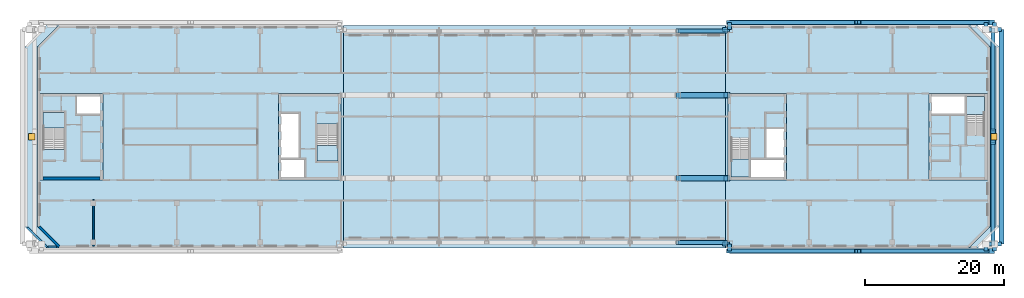
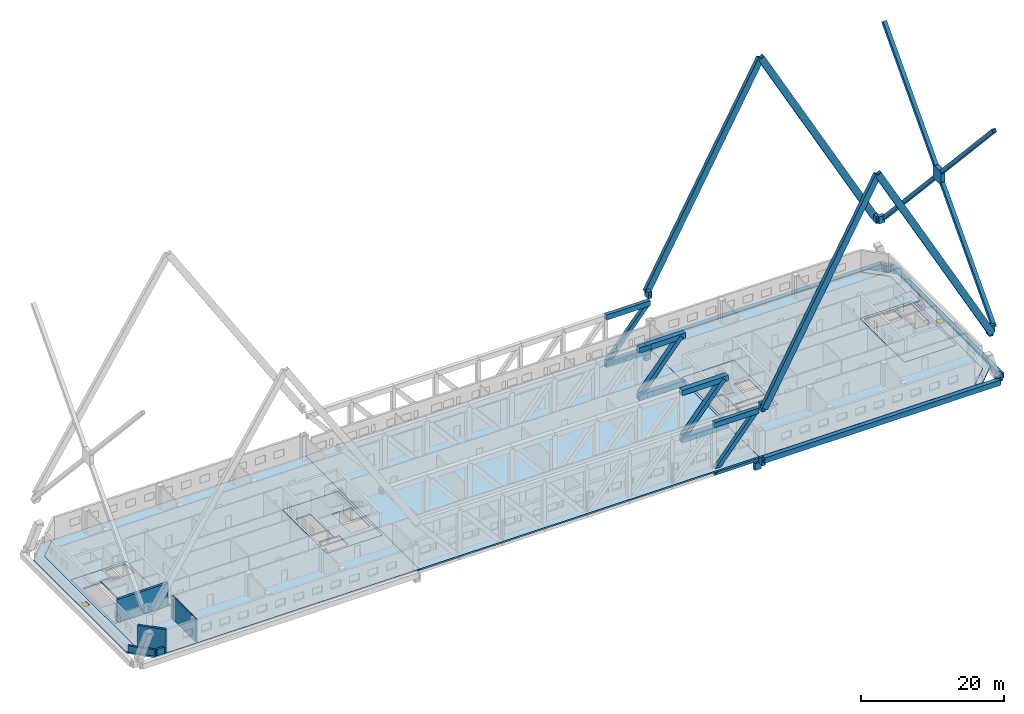
# One storey, part 3 of 17: 25 beams, 13 members, 13 slabs, 5 walls, 2 windows, 2 openings, 4 elements without a shape of their own.
"""IFC4 building model written with IfcOpenShell, lengths in metres."""

import ifcopenshell
import ifcopenshell.guid

model = None  # the IFC model being written
_history = None  # IfcOwnerHistory: only IFC2X3 demands one
_inside = {}  # id of a spatial element -> (the spatial element, [elements in it])
_under = {}  # id of a project, library or spatial element -> (it, [spatial elements below it])
_declared = {}  # id of a project -> (the project, [libraries it declares])
_typed = {}  # id of a type object -> (the type object, [elements of that type])
_made_of = {}  # id of a material, layer set ... -> (it, [elements and type objects made of it])


def new_model(schema):
    """Start an empty IFC model of exactly this schema.

    Asked for "IFC4X3", IfcOpenShell would pick the latest addendum, in which some entities
    have other attributes; the version numbers below select the first issue.
    IFC2X3 requires an IfcOwnerHistory on every rooted entity: one is made here for all.
    """
    global model, _history
    if schema == "IFC4X3":
        model = ifcopenshell.file(schema_version=(4, 3, 0, 0))
    else:
        model = ifcopenshell.file(schema=schema)
    _inside.clear()
    _under.clear()
    _declared.clear()
    _typed.clear()
    _made_of.clear()
    _history = None
    if model.schema == "IFC2X3":
        org = make("IfcOrganization", Name="unknown")
        user = make(
            "IfcPersonAndOrganization",
            ThePerson=make("IfcPerson", FamilyName="unknown"),
            TheOrganization=org,
        )
        app = make(
            "IfcApplication",
            ApplicationDeveloper=org,
            Version="unknown",
            ApplicationFullName="unknown",
            ApplicationIdentifier="unknown",
        )
        _history = make(
            "IfcOwnerHistory",
            OwningUser=user,
            OwningApplication=app,
            ChangeAction="ADDED",
            CreationDate=0,
        )
    return model


def make(cls, **values):
    """One entity of the class cls with the attributes given. An attribute that is None is left unset."""
    return model.create_entity(
        cls, **{name: value for name, value in values.items() if value is not None}
    )


def rooted(cls, **values):
    """An entity with a GlobalId (a new one), such as an element, a storey or a relation."""
    return make(cls, GlobalId=ifcopenshell.guid.new(), OwnerHistory=_history, **values)


def si_unit(unit_type, name, prefix=None):
    """IfcSIUnit, for example si_unit("LENGTHUNIT", "METRE", prefix="MILLI")."""
    return make("IfcSIUnit", UnitType=unit_type, Prefix=prefix, Name=name)


def assignment(units):
    """IfcUnitAssignment: the units of a project."""
    return None if units is None else make("IfcUnitAssignment", Units=units)


def point(xyz):
    """IfcCartesianPoint."""
    return None if xyz is None else make("IfcCartesianPoint", Coordinates=xyz)


def direction(xyz):
    """IfcDirection."""
    return None if xyz is None else make("IfcDirection", DirectionRatios=xyz)


def frame(location, z_axis=None, x_axis=None):
    """IfcAxis2Placement3D, a coordinate frame: its origin and axes. An axis left out is left unset."""
    return make(
        "IfcAxis2Placement3D",
        Location=point(location),
        Axis=direction(z_axis),
        RefDirection=direction(x_axis),
    )


def frame_2d(location, x_axis=None):
    """IfcAxis2Placement2D, a coordinate frame in the plane: its origin and x axis."""
    return make(
        "IfcAxis2Placement2D", Location=point(location), RefDirection=direction(x_axis)
    )


def origin():
    """The frame at (0, 0, 0) with its axes left unset."""
    return frame((0.0, 0.0, 0.0))


def origin_2d():
    """The frame at (0, 0) in the plane with its x axis left unset."""
    return frame_2d((0.0, 0.0))


def place(relative_to, where):
    """IfcLocalPlacement: puts the frame where relative to a parent placement (None: the world)."""
    return make(
        "IfcLocalPlacement", PlacementRelTo=relative_to, RelativePlacement=where
    )


def context(
    kind, dimensions, precision=None, world=None, true_north=None, identifier=None
):
    """IfcGeometricRepresentationContext, for example the 3D "Model" context."""
    return make(
        "IfcGeometricRepresentationContext",
        ContextIdentifier=identifier,
        ContextType=kind,
        CoordinateSpaceDimension=dimensions,
        Precision=precision,
        WorldCoordinateSystem=world,
        TrueNorth=true_north,
    )


def subcontext(parent, identifier, kind, view, scale=None):
    """IfcGeometricRepresentationSubContext, for example "Body" below "Model"."""
    return make(
        "IfcGeometricRepresentationSubContext",
        ContextIdentifier=identifier,
        ContextType=kind,
        ParentContext=parent,
        TargetScale=scale,
        TargetView=view,
    )


def project(units=None, contexts=None):
    """IfcProject with its units and contexts."""
    return rooted(
        "IfcProject",
        Name="project",
        RepresentationContexts=contexts,
        UnitsInContext=assignment(units),
    )


def spatial(cls, under=None, at=None, **own):
    """A site, building, storey or space (cls), placed at a placement, below another one or the project."""
    s = rooted(cls, ObjectPlacement=at, **own)
    if under is not None:
        _under.setdefault(under.id(), (under, []))[1].append(s)
    return s


def polyline(points):
    """IfcPolyline through the points."""
    return make("IfcPolyline", Points=[point(p) for p in points])


def profile(cls, at=None, kind="AREA", **sizes):
    """A parametric profile (cls). Its sizes go by their IFC names, for example OverallWidth=200.0."""
    return make(cls, ProfileType=kind, Position=at, **sizes)


def rectangle(**sizes):
    """IfcRectangleProfileDef."""
    return profile("IfcRectangleProfileDef", **sizes)


def hollow_rectangle(**sizes):
    """IfcRectangleHollowProfileDef."""
    return profile("IfcRectangleHollowProfileDef", **sizes)


def outline(outer, holes=None, kind="AREA"):
    """IfcArbitraryClosedProfileDef: a profile drawn as a closed curve; with holes, ...WithVoids."""
    if holes is None:
        return make("IfcArbitraryClosedProfileDef", ProfileType=kind, OuterCurve=outer)
    return make(
        "IfcArbitraryProfileDefWithVoids",
        ProfileType=kind,
        OuterCurve=outer,
        InnerCurves=holes,
    )


def extrude(swept, where, along, depth):
    """IfcExtrudedAreaSolid: the profile swept, set in the frame where, extruded along a direction by depth."""
    return make(
        "IfcExtrudedAreaSolid",
        SweptArea=swept,
        Position=where,
        ExtrudedDirection=direction(along),
        Depth=depth,
    )


def shape(context_of_items, identifier, shape_type, items):
    """IfcShapeRepresentation: the items that make up one representation, for example the "Body"."""
    return make(
        "IfcShapeRepresentation",
        ContextOfItems=context_of_items,
        RepresentationIdentifier=identifier,
        RepresentationType=shape_type,
        Items=items,
    )


def material(Name=None, Category=None):
    """IfcMaterial."""
    return make("IfcMaterial", Name=Name, Category=Category)


def layer(
    of_material, thickness, ventilated=None, Name=None, Category=None, Priority=None
):
    """IfcMaterialLayer: one layer of a wall or slab, of a material (None: an air gap)."""
    return make(
        "IfcMaterialLayer",
        Material=of_material,
        LayerThickness=thickness,
        IsVentilated=ventilated,
        Name=Name,
        Category=Category,
        Priority=Priority,
    )


def layer_set(layers, Name=None):
    """IfcMaterialLayerSet."""
    return make("IfcMaterialLayerSet", MaterialLayers=layers, LayerSetName=Name)


def material_profile(
    of_material, cross_section, Name=None, Category=None, Priority=None
):
    """IfcMaterialProfile: a cross section and its material."""
    return make(
        "IfcMaterialProfile",
        Name=Name,
        Material=of_material,
        Profile=cross_section,
        Priority=Priority,
        Category=Category,
    )


def profile_set(profiles, Name=None, composite=None):
    """IfcMaterialProfileSet."""
    return make(
        "IfcMaterialProfileSet",
        Name=Name,
        MaterialProfiles=profiles,
        CompositeProfile=composite,
    )


def made_of(thing, what):
    """Note that an element or type object is made of a material, layer set ...; save() writes the relation."""
    if what is not None:
        _made_of.setdefault(what.id(), (what, []))[1].append(thing)
    return thing


def type_object(cls, material=None, **own):
    """A type object (cls), such as IfcWallType, which elements share."""
    return made_of(rooted(cls, **own), material)


def element(
    cls,
    number,
    at=None,
    inside=None,
    cuts=None,
    type_object=None,
    material=None,
    context=None,
    identifier="Body",
    shape_type=None,
    held_by="IfcProductDefinitionShape",
    body=None,
    shapes=None,
    **own,
):
    """One element of the class cls, such as IfcWall. Its Tag is "e" and its number.

    at: its placement. inside: the storey or other place that contains it. cuts: it is an
    opening in that element (IfcRelVoidsElement). A single representation is given by context,
    identifier, shape_type and body (its items); several are given by shapes. held_by: the class
    of the entity that holds the representations. save() writes the other relations.
    """
    e = rooted(cls, Tag="e%d" % number, ObjectPlacement=at, **own)
    if body is not None:
        shapes = [shape(context, identifier, shape_type, body)]
    if shapes is not None:
        e.Representation = make(held_by, Representations=shapes)
    if inside is not None:
        _inside.setdefault(inside.id(), (inside, []))[1].append(e)
    if cuts is not None:
        rooted(
            "IfcRelVoidsElement", RelatingBuildingElement=cuts, RelatedOpeningElement=e
        )
    if type_object is not None:
        _typed.setdefault(type_object.id(), (type_object, []))[1].append(e)
    return made_of(e, material)


def fill(opening, filler):
    """IfcRelFillsElement: the door or window that sits in an opening."""
    return rooted(
        "IfcRelFillsElement",
        RelatingOpeningElement=opening,
        RelatedBuildingElement=filler,
    )


def aggregate(whole, parts):
    """IfcRelAggregates: a whole, such as a stair, and the parts it consists of."""
    return rooted("IfcRelAggregates", RelatingObject=whole, RelatedObjects=parts)


def save(model, path):
    """Write the relations noted so far, then the file.

    IfcRelAggregates (storeys below a building ...), IfcRelContainedInSpatialStructure (elements
    in a storey), IfcRelDefinesByType, IfcRelAssociatesMaterial and IfcRelDeclares: one each for
    every whole, place, type object, material and project.
    """
    for whole, parts in _under.values():
        aggregate(whole, parts)
    for where, things in _inside.values():
        rooted(
            "IfcRelContainedInSpatialStructure",
            RelatedElements=things,
            RelatingStructure=where,
        )
    for kind, things in _typed.values():
        rooted("IfcRelDefinesByType", RelatedObjects=things, RelatingType=kind)
    for what, things in _made_of.values():
        rooted("IfcRelAssociatesMaterial", RelatedObjects=things, RelatingMaterial=what)
    for by, libraries in _declared.values():
        rooted("IfcRelDeclares", RelatingContext=by, RelatedDefinitions=libraries)
    model.write(path)


model = new_model("IFC4")

# Units and contexts
model_context = context("Model", 3, precision=1e-05, world=origin(), true_north=direction((0.0, 1.0)))
body_context = subcontext(model_context, "Body", "Model", "MODEL_VIEW")
ifc_project = project(units=[si_unit("LENGTHUNIT", "METRE"), si_unit("AREAUNIT", "SQUARE_METRE"), si_unit("VOLUMEUNIT", "CUBIC_METRE"), si_unit("PLANEANGLEUNIT", "RADIAN"), si_unit("MASSUNIT", "GRAM", prefix="KILO")], contexts=[model_context])

# Site, building, storey
site_placement = place(None, origin())
site = spatial("IfcSite", under=ifc_project, at=site_placement, CompositionType="ELEMENT")
building_placement = place(site_placement, origin())
building = spatial("IfcBuilding", under=site, at=building_placement, Name="Tuart Gate Housing", CompositionType="ELEMENT")
storey_placement = place(building_placement, frame((0.0, 0.0, 194.39990234375)))
storey = spatial("IfcBuildingStorey", under=building, at=storey_placement, Name="L55", CompositionType="ELEMENT", Elevation=194.39990234375)

# Member
ifc_material_1 = material(Name="Steel Grade 350", Category="steel")
ifc_material_profile_1 = material_profile(ifc_material_1, rectangle(XDim=2.18408203125, YDim=2.300048828125, at=origin_2d()), Name="Brace node plate 2184 x 2300")
ifc_profile_set_1 = profile_set([ifc_material_profile_1], Name="Steel Grade 350")
member_type_1 = type_object("IfcMemberType", Name="Brace node plate 2184 x 2300", PredefinedType="PLATE", material=ifc_profile_set_1)
member_placement = place(storey_placement, frame((169.10498046875, 70.0, 25.25), z_axis=(1.0, 0.0, 0.0), x_axis=(0.0, 1.0, 0.0)))
element("IfcMember", 1, at=member_placement, inside=storey, type_object=member_type_1, Name="Brace node B zone 8 east", PredefinedType="PLATE", context=body_context, shape_type="SweptSolid", body=[
    extrude(rectangle(XDim=2.18408203125, YDim=2.300048828125, at=origin_2d()), origin(), (0.0, 0.0, 1.0), 0.68994140625),
])

# Beams
ifc_material_2 = material(Name="Steel Grade 350", Category="steel")
ifc_material_profile_2 = material_profile(ifc_material_2, hollow_rectangle(XDim=0.60009765625, YDim=1.199951171875, WallThickness=0.0400390625, at=origin_2d()), Name="BOX 1200x600x40")
ifc_profile_set_2 = profile_set([ifc_material_profile_2], Name="Steel Grade 350")
beam_type_1 = type_object("IfcBeamType", Name="Brace shoe BOX 1200x600x40", PredefinedType="BEAM", material=ifc_profile_set_2)
for number, where, z_axis, x_axis, name in (
    (2, (131.550048828125, 54.550048828125, -0.849853515625), (0.0, -1.0, 0.0), (1.0, 0.0, 0.0), "Mega tie beam B node 7 south shoe 0 L55"),
    (3, (169.699951171875, 54.550048828125, -0.39990234375), (0.0, -1.0, 0.0), (1.0, 0.0, 0.0), "Mega tie beam B node 7 south shoe 1 L55"),
    (4, (131.550048828125, 85.449951171875, -0.849853515625), (0.0, 1.0, 0.0), (-1.0, 0.0, 0.0), "Mega tie beam B node 7 north shoe 0 L55"),
    (5, (169.699951171875, 85.449951171875, -0.39990234375), (0.0, 1.0, 0.0), (-1.0, 0.0, 0.0), "Mega tie beam B node 7 north shoe 1 L55"),
    (6, (169.699951171875, 54.550048828125, -0.39990234375), (1.0, 0.0, 0.0), (0.0, 1.0, 0.0), "Mega tie beam B node 7 east shoe 0 L55"),
    (7, (169.699951171875, 85.449951171875, -0.39990234375), (1.0, 0.0, 0.0), (0.0, 1.0, 0.0), "Mega tie beam B node 7 east shoe 1 L55"),
    (8, (131.550048828125, 54.550048828125, -1.7998046875), (-1.0, 0.0, 0.0), (0.0, -1.0, 0.0), "Mega tie beam B node 7 west shoe 0 L55"),
    (9, (131.550048828125, 85.449951171875, -1.7998046875), (-1.0, 0.0, 0.0), (0.0, -1.0, 0.0), "Mega tie beam B node 7 west shoe 1 L55"),
    (10, (131.550048828125, 54.550048828125, 8.400146484375), (0.0, -1.0, 0.0), (1.0, 0.0, 0.0), "Mega brace shoe B zone 8 south chevron 1"),
    (11, (168.449951171875, 54.550048828125, 8.400146484375), (0.0, -1.0, 0.0), (1.0, 0.0, 0.0), "Mega brace shoe B zone 8 south chevron 2"),
    (12, (131.550048828125, 85.449951171875, 8.400146484375), (0.0, 1.0, 0.0), (-1.0, 0.0, 0.0), "Mega brace shoe B zone 8 north chevron 1"),
    (13, (168.449951171875, 85.449951171875, 8.400146484375), (0.0, 1.0, 0.0), (-1.0, 0.0, 0.0), "Mega brace shoe B zone 8 north chevron 2"),
    (14, (168.449951171875, 54.550048828125, 8.400146484375), (1.0, 0.0, 0.0), (0.0, 1.0, 0.0), "Mega brace shoe B zone 8 east cross 1"),
    (15, (168.449951171875, 85.449951171875, 8.400146484375), (1.0, 0.0, 0.0), (0.0, 1.0, 0.0), "Mega brace shoe B zone 8 east cross 2"),
):
    element("IfcBeam", number, at=place(storey_placement, frame(where, z_axis=z_axis, x_axis=x_axis)), inside=storey, type_object=beam_type_1, Name=name, PredefinedType="BEAM", context=body_context, shape_type="SweptSolid", body=[
        extrude(hollow_rectangle(XDim=0.60009765625, YDim=1.199951171875, WallThickness=0.0400390625, at=origin_2d()), origin(), (0.0, 0.0, 1.0), 1.0),
    ])

# Members
ifc_material_3 = material(Name="Steel Grade 350", Category="steel")
ifc_material_profile_3 = material_profile(ifc_material_3, hollow_rectangle(XDim=0.60009765625, YDim=1.050048828125, WallThickness=0.052001953125, at=origin_2d()), Name="BOX 1050x600x52")
ifc_profile_set_3 = profile_set([ifc_material_profile_3], Name="Steel Grade 350")
member_type_2 = type_object("IfcMemberType", Name="Mega brace BOX 1050x600x52", PredefinedType="BRACE", material=ifc_profile_set_3)
for number, where, z_axis, x_axis, name in (
    (16, (131.550048828125, 53.550048828125, 8.400146484375), (0.480218828035, 0.0, 0.877148720116), (0.0, 1.0, 0.0), "Mega brace B zone 8 south chevron 1"),
    (17, (168.449951171875, 53.550048828125, 8.400146484375), (-0.480218828035, 0.0, 0.877148720116), (0.0, -1.0, 0.0), "Mega brace B zone 8 south chevron 2"),
    (18, (131.550048828125, 86.449951171875, 8.400146484375), (0.480218828035, 0.0, 0.877148720116), (0.0, 1.0, 0.0), "Mega brace B zone 8 north chevron 1"),
    (19, (168.449951171875, 86.449951171875, 8.400146484375), (-0.480218828035, 0.0, 0.877148720116), (0.0, -1.0, 0.0), "Mega brace B zone 8 north chevron 2"),
):
    element("IfcMember", number, at=place(storey_placement, frame(where, z_axis=z_axis, x_axis=x_axis)), inside=storey, type_object=member_type_2, Name=name, PredefinedType="BRACE", context=body_context, shape_type="SweptSolid", body=[
        extrude(hollow_rectangle(XDim=0.60009765625, YDim=1.050048828125, WallThickness=0.052001953125, at=origin_2d()), origin(), (0.0, 0.0, 1.0), 38.419921875),
    ])
ifc_material_4 = material(Name="Steel Grade 350", Category="steel")
ifc_material_profile_4 = material_profile(ifc_material_4, hollow_rectangle(XDim=0.60009765625, YDim=0.60009765625, WallThickness=0.030029296875, at=origin_2d()), Name="BOX 600x600x30")
ifc_profile_set_4 = profile_set([ifc_material_profile_4], Name="Steel Grade 350")
member_type_3 = type_object("IfcMemberType", Name="Mega brace BOX 600x600x30", PredefinedType="BRACE", material=ifc_profile_set_4)
for number, where, z_axis, x_axis, name in (
    (20, (169.449951171875, 54.550048828125, 8.400146484375), (0.0, 0.675824021585, 0.737063017556), (-1.0, 0.0, 0.0), "Mega brace B zone 8 east cross 1 a"),
    (21, (169.449951171875, 70.64208984375, 25.9501953125), (0.0, 0.675818471271, 0.737068106682), (-1.0, 0.0, 0.0), "Mega brace B zone 8 east cross 1 b"),
    (22, (169.449951171875, 85.449951171875, 8.400146484375), (0.0, -0.675824021585, 0.737063017556), (1.0, 0.0, 0.0), "Mega brace B zone 8 east cross 2 a"),
    (23, (169.449951171875, 69.35791015625, 25.9501953125), (0.0, -0.675818471271, 0.737068106682), (1.0, 0.0, 0.0), "Mega brace B zone 8 east cross 2 b"),
):
    element("IfcMember", number, at=place(storey_placement, frame(where, z_axis=z_axis, x_axis=x_axis)), inside=storey, type_object=member_type_3, Name=name, PredefinedType="BRACE", context=body_context, shape_type="SweptSolid", body=[
        extrude(hollow_rectangle(XDim=0.60009765625, YDim=0.60009765625, WallThickness=0.030029296875, at=origin_2d()), origin(), (0.0, 0.0, 1.0), 21.910888671875),
    ])

# Beams
ifc_material_5 = material(Name="Steel Grade 350", Category="steel")
ifc_material_profile_5 = material_profile(ifc_material_5, hollow_rectangle(XDim=0.699951171875, YDim=0.89990234375, WallThickness=0.0400390625, at=origin_2d()), Name="BOX 900x700x40")
ifc_profile_set_5 = profile_set([ifc_material_profile_5], Name="Steel Grade 350")
beam_type_2 = type_object("IfcBeamType", Name="Tie beam BOX 900x700x40", PredefinedType="BEAM", material=ifc_profile_set_5)
for number, where, z_axis, x_axis, name in (
    (24, (131.550048828125, 53.550048828125, -0.39990234375), (1.0, 0.0, 0.0), (0.0, 1.0, 0.0), "Mega tie beam B node 7 south L55"),
    (25, (131.550048828125, 86.449951171875, -0.39990234375), (1.0, 0.0, 0.0), (0.0, 1.0, 0.0), "Mega tie beam B node 7 north L55"),
):
    element("IfcBeam", number, at=place(storey_placement, frame(where, z_axis=z_axis, x_axis=x_axis)), inside=storey, type_object=beam_type_2, Name=name, PredefinedType="BEAM", context=body_context, shape_type="SweptSolid", body=[
        extrude(hollow_rectangle(XDim=0.699951171875, YDim=0.89990234375, WallThickness=0.0400390625, at=origin_2d()), origin(), (0.0, 0.0, 1.0), 38.14990234375),
    ])
beam_placement = place(storey_placement, frame((170.699951171875, 54.550048828125, -0.39990234375), z_axis=(0.0, 1.0, 0.0), x_axis=(-1.0, 0.0, 0.0)))
element("IfcBeam", 26, at=beam_placement, inside=storey, type_object=beam_type_2, Name="Mega tie beam B node 7 east L55", PredefinedType="BEAM", context=body_context, shape_type="SweptSolid", body=[
    extrude(hollow_rectangle(XDim=0.699951171875, YDim=0.89990234375, WallThickness=0.0400390625, at=origin_2d()), origin(), (0.0, 0.0, 1.0), 30.89990234375),
])
ifc_material_6 = material(Name="Steel Grade 350", Category="steel")
ifc_material_profile_6 = material_profile(ifc_material_6, hollow_rectangle(XDim=0.60009765625, YDim=0.89990234375, WallThickness=0.050048828125, at=origin_2d()), Name="BOX 900x600x50")
ifc_profile_set_6 = profile_set([ifc_material_profile_6], Name="Steel Grade 350")
beam_type_3 = type_object("IfcBeamType", Name="Transfer truss chord BOX 900x600x50", PredefinedType="BEAM", material=ifc_profile_set_6)
for number, where, z_axis, x_axis, name in (
    (27, (124.125, 54.800048828125, -0.699951171875), (1.0, 0.0, 0.0), (0.0, 1.0, 0.0), "Transfer truss line 1 bottom chord 7"),
    (28, (124.125, 54.800048828125, 7.4501953125), (1.0, 0.0, 0.0), (0.0, 1.0, 0.0), "Transfer truss line 1 top chord 7"),
    (29, (124.125, 85.199951171875, -0.699951171875), (1.0, 0.0, 0.0), (0.0, 1.0, 0.0), "Transfer truss line 4 bottom chord 7"),
    (30, (124.125, 85.199951171875, 7.4501953125), (1.0, 0.0, 0.0), (0.0, 1.0, 0.0), "Transfer truss line 4 top chord 7"),
):
    element("IfcBeam", number, at=place(storey_placement, frame(where, z_axis=z_axis, x_axis=x_axis)), inside=storey, type_object=beam_type_3, Name=name, PredefinedType="BEAM", context=body_context, shape_type="SweptSolid", body=[
        extrude(hollow_rectangle(XDim=0.60009765625, YDim=0.89990234375, WallThickness=0.050048828125, at=origin_2d()), origin(), (0.0, 0.0, 1.0), 7.175048828125),
    ])
ifc_material_7 = material(Name="Steel Grade 350", Category="steel")
ifc_material_profile_7 = material_profile(ifc_material_7, hollow_rectangle(XDim=0.800048828125, YDim=0.89990234375, WallThickness=0.06494140625, at=origin_2d()), Name="BOX 900x800x65")
ifc_profile_set_7 = profile_set([ifc_material_profile_7], Name="Steel Grade 350")
beam_type_4 = type_object("IfcBeamType", Name="Transfer truss chord BOX 900x800x65", PredefinedType="BEAM", material=ifc_profile_set_7)
for number, where, z_axis, x_axis, name in (
    (31, (124.125, 64.0, -0.699951171875), (1.0, 0.0, 0.0), (0.0, 1.0, 0.0), "Transfer truss line 2 bottom chord 7"),
    (32, (124.125, 64.0, 7.4501953125), (1.0, 0.0, 0.0), (0.0, 1.0, 0.0), "Transfer truss line 2 top chord 7"),
    (33, (124.125, 76.0, -0.699951171875), (1.0, 0.0, 0.0), (0.0, 1.0, 0.0), "Transfer truss line 3 bottom chord 7"),
    (34, (124.125, 76.0, 7.4501953125), (1.0, 0.0, 0.0), (0.0, 1.0, 0.0), "Transfer truss line 3 top chord 7"),
):
    element("IfcBeam", number, at=place(storey_placement, frame(where, z_axis=z_axis, x_axis=x_axis)), inside=storey, type_object=beam_type_4, Name=name, PredefinedType="BEAM", context=body_context, shape_type="SweptSolid", body=[
        extrude(hollow_rectangle(XDim=0.800048828125, YDim=0.89990234375, WallThickness=0.06494140625, at=origin_2d()), origin(), (0.0, 0.0, 1.0), 7.47509765625),
    ])

# Members
ifc_material_8 = material(Name="Steel Grade 350", Category="steel")
ifc_material_profile_8 = material_profile(ifc_material_8, hollow_rectangle(XDim=0.60009765625, YDim=0.699951171875, WallThickness=0.0400390625, at=origin_2d()), Name="BOX 700x600x40")
ifc_profile_set_8 = profile_set([ifc_material_profile_8], Name="Steel Grade 350")
member_type_4 = type_object("IfcMemberType", Name="Transfer truss diagonal BOX 700x600x40", PredefinedType="BRACE", material=ifc_profile_set_8)
for number, where, z_axis, x_axis, name in (
    (35, (124.125, 54.800048828125, -0.699951171875), (0.644778562941, 0.0, 0.764369416429), (0.0, 1.0, 0.0), "Transfer truss line 1 diagonal 7"),
    (36, (124.125, 85.199951171875, -0.699951171875), (0.644778562941, 0.0, 0.764369416429), (0.0, 1.0, 0.0), "Transfer truss line 4 diagonal 7"),
):
    element("IfcMember", number, at=place(storey_placement, frame(where, z_axis=z_axis, x_axis=x_axis)), inside=storey, type_object=member_type_4, Name=name, PredefinedType="BRACE", context=body_context, shape_type="SweptSolid", body=[
        extrude(hollow_rectangle(XDim=0.60009765625, YDim=0.699951171875, WallThickness=0.0400390625, at=origin_2d()), origin(), (0.0, 0.0, 1.0), 10.66259765625),
    ])
ifc_material_9 = material(Name="Steel Grade 350", Category="steel")
ifc_material_profile_9 = material_profile(ifc_material_9, hollow_rectangle(XDim=0.800048828125, YDim=0.699951171875, WallThickness=0.054931640625, at=origin_2d()), Name="BOX 700x800x55")
ifc_profile_set_9 = profile_set([ifc_material_profile_9], Name="Steel Grade 350")
member_type_5 = type_object("IfcMemberType", Name="Transfer truss diagonal BOX 700x800x55", PredefinedType="BRACE", material=ifc_profile_set_9)
for number, where, z_axis, x_axis, name in (
    (37, (124.125, 64.0, -0.699951171875), (0.644778562941, 0.0, 0.764369416429), (0.0, 1.0, 0.0), "Transfer truss line 2 diagonal 7"),
    (38, (124.125, 76.0, -0.699951171875), (0.644778562941, 0.0, 0.764369416429), (0.0, 1.0, 0.0), "Transfer truss line 3 diagonal 7"),
):
    element("IfcMember", number, at=place(storey_placement, frame(where, z_axis=z_axis, x_axis=x_axis)), inside=storey, type_object=member_type_5, Name=name, PredefinedType="BRACE", context=body_context, shape_type="SweptSolid", body=[
        extrude(hollow_rectangle(XDim=0.800048828125, YDim=0.699951171875, WallThickness=0.054931640625, at=origin_2d()), origin(), (0.0, 0.0, 1.0), 10.66259765625),
    ])

# Slabs
ifc_material_10 = material(Name="Concrete C40", Category="concrete")
ifc_layer_1 = layer(ifc_material_10, 0.25)
ifc_layer_set_1 = layer_set([ifc_layer_1], Name="Core floor slab 250")
slab_type_1 = type_object("IfcSlabType", Name="Core floor slab 250", PredefinedType="FLOOR", material=ifc_layer_set_1)
slab_1_placement = place(storey_placement, frame((0.0, 0.0, -0.25)))
element("IfcSlab", 39, at=slab_1_placement, inside=storey, type_object=slab_type_1, Name="Core floor AG", PredefinedType="FLOOR", context=body_context, shape_type="SweptSolid", body=[
    extrude(outline(polyline([(66.639892578125, 63.800048828125), (75.639892578125, 63.800048828125), (75.639892578125, 76.199951171875), (66.639892578125, 76.199951171875), (66.639892578125, 63.800048828125)]), holes=[polyline([(67.0400390625, 64.199951171875), (70.385009765625, 64.199951171875), (70.385009765625, 66.72509765625), (67.0400390625, 66.72509765625), (67.0400390625, 64.199951171875)]), polyline([(67.0400390625, 66.97509765625), (69.56494140625, 66.97509765625), (69.56494140625, 73.324951171875), (67.0400390625, 73.324951171875), (67.0400390625, 66.97509765625)]), polyline([(72.1650390625, 66.47509765625), (75.239990234375, 66.47509765625), (75.239990234375, 71.804931640625), (72.1650390625, 71.804931640625), (72.1650390625, 66.47509765625)])]), origin(), (0.0, 0.0, 1.0), 0.25),
])
slab_2_placement = place(storey_placement, frame((0.0, 0.0, -0.25)))
element("IfcSlab", 40, at=slab_2_placement, inside=storey, type_object=slab_type_1, Name="Core floor AK", PredefinedType="FLOOR", context=body_context, shape_type="SweptSolid", body=[
    extrude(outline(polyline([(32.360107421875, 63.800048828125), (41.360107421875, 63.800048828125), (41.360107421875, 76.199951171875), (32.360107421875, 76.199951171875), (32.360107421875, 63.800048828125)]), holes=[polyline([(40.9599609375, 75.800048828125), (37.614990234375, 75.800048828125), (37.614990234375, 73.27490234375), (40.9599609375, 73.27490234375), (40.9599609375, 75.800048828125)]), polyline([(35.8349609375, 73.52490234375), (32.760009765625, 73.52490234375), (32.760009765625, 68.195068359375), (35.8349609375, 68.195068359375), (35.8349609375, 73.52490234375)])]), origin(), (0.0, 0.0, 1.0), 0.25),
])
slab_3_placement = place(storey_placement, frame((0.0, 0.0, -0.25)))
element("IfcSlab", 41, at=slab_3_placement, inside=storey, type_object=slab_type_1, Name="Core floor BG", PredefinedType="FLOOR", context=body_context, shape_type="SweptSolid", body=[
    extrude(outline(polyline([(131.360107421875, 63.800048828125), (139.760009765625, 63.800048828125), (139.760009765625, 76.199951171875), (131.360107421875, 76.199951171875), (131.360107421875, 63.800048828125)]), holes=[polyline([(139.360107421875, 66.85009765625), (134.5849609375, 66.85009765625), (134.5849609375, 64.199951171875), (139.360107421875, 64.199951171875), (139.360107421875, 66.85009765625)]), polyline([(139.360107421875, 71.125), (136.8349609375, 71.125), (136.8349609375, 66.97509765625), (139.360107421875, 66.97509765625), (139.360107421875, 71.125)]), polyline([(134.3349609375, 69.85498046875), (131.760009765625, 69.85498046875), (131.760009765625, 64.199951171875), (134.3349609375, 64.199951171875), (134.3349609375, 69.85498046875)])]), origin(), (0.0, 0.0, 1.0), 0.25),
])
slab_4_placement = place(storey_placement, frame((0.0, 0.0, -0.25)))
element("IfcSlab", 42, at=slab_4_placement, inside=storey, type_object=slab_type_1, Name="Core floor BK", PredefinedType="FLOOR", context=body_context, shape_type="SweptSolid", body=[
    extrude(outline(polyline([(160.239990234375, 63.800048828125), (168.639892578125, 63.800048828125), (168.639892578125, 76.199951171875), (160.239990234375, 76.199951171875), (160.239990234375, 63.800048828125)]), holes=[polyline([(160.639892578125, 73.14990234375), (165.4150390625, 73.14990234375), (165.4150390625, 75.800048828125), (160.639892578125, 75.800048828125), (160.639892578125, 73.14990234375)]), polyline([(165.6650390625, 70.14501953125), (168.239990234375, 70.14501953125), (168.239990234375, 75.800048828125), (165.6650390625, 75.800048828125), (165.6650390625, 70.14501953125)])]), origin(), (0.0, 0.0, 1.0), 0.25),
])
ifc_material_11 = material(Name="Concrete C40", Category="concrete")
ifc_layer_2 = layer(ifc_material_11, 0.25)
ifc_layer_set_2 = layer_set([ifc_layer_2], Name="Flat plate 250")
slab_type_2 = type_object("IfcSlabType", Name="Flat plate 250", PredefinedType="FLOOR", material=ifc_layer_set_2)
slab_5_placement = place(storey_placement, frame((0.0, 0.0, -0.25)))
element("IfcSlab", 43, at=slab_5_placement, inside=storey, type_object=slab_type_2, Name="Floor slab A L55", PredefinedType="FLOOR", context=body_context, shape_type="SweptSolid", body=[
    extrude(outline(polyline([(35.0, 86.0), (32.0, 83.0), (32.0, 57.0), (35.0, 54.0), (76.0, 54.0), (76.0, 86.0), (35.0, 86.0)]), holes=[polyline([(66.639892578125, 76.199951171875), (75.639892578125, 76.199951171875), (75.639892578125, 63.800048828125), (66.639892578125, 63.800048828125), (66.639892578125, 76.199951171875)]), polyline([(41.360107421875, 76.199951171875), (41.360107421875, 63.800048828125), (32.360107421875, 63.800048828125), (32.360107421875, 76.199951171875), (41.360107421875, 76.199951171875)])]), origin(), (0.0, 0.0, 1.0), 0.25),
])
slab_6_placement = place(storey_placement, frame((0.0, 0.0, -0.25)))
element("IfcSlab", 44, at=slab_6_placement, inside=storey, type_object=slab_type_2, Name="Floor slab B L55", PredefinedType="FLOOR", context=body_context, shape_type="SweptSolid", body=[
    extrude(outline(polyline([(166.0, 86.0), (131.0, 86.0), (131.0, 54.0), (166.0, 54.0), (169.0, 57.0), (169.0, 83.0), (166.0, 86.0)]), holes=[polyline([(131.360107421875, 76.199951171875), (139.760009765625, 76.199951171875), (139.760009765625, 63.800048828125), (131.360107421875, 63.800048828125), (131.360107421875, 76.199951171875)]), polyline([(168.639892578125, 76.199951171875), (168.639892578125, 63.800048828125), (160.239990234375, 63.800048828125), (160.239990234375, 76.199951171875), (168.639892578125, 76.199951171875)])]), origin(), (0.0, 0.0, 1.0), 0.25),
])
slab_7_placement = place(storey_placement, frame((0.0, 0.0, -0.25)))
element("IfcSlab", 45, at=slab_7_placement, inside=storey, type_object=slab_type_2, Name="Link floor slab L55", PredefinedType="FLOOR", context=body_context, shape_type="SweptSolid", body=[
    extrude(outline(polyline([(76.0, 54.0), (131.0, 54.0), (131.0, 86.0), (76.0, 86.0), (76.0, 54.0)])), origin(), (0.0, 0.0, 1.0), 0.25),
])

# Slab, opening, window
ifc_material_12 = material(Name="Concrete C40", Category="concrete")
ifc_layer_3 = layer(ifc_material_12, 0.25)
ifc_layer_set_3 = layer_set([ifc_layer_3], Name="Roof slab 250")
slab_type_3 = type_object("IfcSlabType", Name="Roof slab 250", PredefinedType="ROOF", material=ifc_layer_set_3)
slab_8_placement = place(storey_placement, frame((0.0, 0.0, -0.25)))
slab_8 = element("IfcSlab", 46, at=slab_8_placement, inside=storey, type_object=slab_type_3, Name="Setback roof slab A L55", PredefinedType="ROOF", context=body_context, shape_type="SweptSolid", body=[
    extrude(outline(polyline([(33.25, 54.0), (35.0, 54.0), (32.0, 57.0), (32.0, 83.0), (35.0, 86.0), (33.25, 86.0), (30.25, 83.0), (30.25, 57.0), (33.25, 54.0)])), origin(), (0.0, 0.0, 1.0), 0.25),
])
opening_1_placement = place(slab_8_placement, frame((31.125, 70.0, 0.0)))
opening_1 = element("IfcOpeningElement", 47, at=opening_1_placement, cuts=slab_8, Name="Opening RH1", PredefinedType="OPENING", context=body_context, shape_type="SweptSolid", body=[
    extrude(rectangle(XDim=0.89990234375, YDim=0.89990234375, at=origin_2d()), frame((0.0, 0.0, -0.010009765625)), (0.0, 0.0, 1.0), 0.27001953125),
])
ifc_material_13 = material(Name="Aluminium frame with clear glass", Category="aluminium")
window_type = type_object("IfcWindowType", Name="Roof hatch 900 x 900", PartitioningType="SINGLE_PANEL", PredefinedType="SKYLIGHT", material=ifc_material_13)
window_1_placement = place(opening_1_placement, frame((0.0, 0.0, 0.199951171875)))
window_1 = element("IfcWindow", 48, at=window_1_placement, inside=storey, type_object=window_type, Name="Roof hatch", OverallHeight=0.89990234375, OverallWidth=0.89990234375, PartitioningType="SINGLE_PANEL", PredefinedType="SKYLIGHT", context=body_context, shape_type="SweptSolid", body=[
    extrude(rectangle(XDim=0.89990234375, YDim=0.89990234375, at=origin_2d()), origin(), (0.0, 0.0, 1.0), 0.050048828125),
])
fill(opening_1, window_1)

slab_9_placement = place(storey_placement, frame((0.0, 0.0, -0.25)))
slab_9 = element("IfcSlab", 49, at=slab_9_placement, inside=storey, type_object=slab_type_3, Name="Setback roof slab B L55", PredefinedType="ROOF", context=body_context, shape_type="SweptSolid", body=[
    extrude(outline(polyline([(167.25, 86.0), (166.0, 86.0), (169.0, 83.0), (169.0, 57.0), (166.0, 54.0), (167.25, 54.0), (170.25, 57.0), (170.25, 83.0), (167.25, 86.0)])), origin(), (0.0, 0.0, 1.0), 0.25),
])
opening_2_placement = place(slab_9_placement, frame((169.625, 70.0, 0.0)))
opening_2 = element("IfcOpeningElement", 50, at=opening_2_placement, cuts=slab_9, Name="Opening RH1", PredefinedType="OPENING", context=body_context, shape_type="SweptSolid", body=[
    extrude(rectangle(XDim=0.89990234375, YDim=0.89990234375, at=origin_2d()), frame((0.0, 0.0, -0.010009765625)), (0.0, 0.0, 1.0), 0.27001953125),
])
window_2_placement = place(opening_2_placement, frame((0.0, 0.0, 0.199951171875)))
window_2 = element("IfcWindow", 51, at=window_2_placement, inside=storey, type_object=window_type, Name="Roof hatch", OverallHeight=0.89990234375, OverallWidth=0.89990234375, PartitioningType="SINGLE_PANEL", PredefinedType="SKYLIGHT", context=body_context, shape_type="SweptSolid", body=[
    extrude(rectangle(XDim=0.89990234375, YDim=0.89990234375, at=origin_2d()), origin(), (0.0, 0.0, 1.0), 0.050048828125),
])
fill(opening_2, window_2)

# Stair, slab
ifc_material_14 = material(Name="Concrete C40", Category="concrete")
stair_type_1 = type_object("IfcStairType", Name="Core stair 1500", PredefinedType="HALF_TURN_STAIR", material=ifc_material_14)
stair_1_placement = place(storey_placement, origin())
stair_1 = element("IfcStair", 52, at=stair_1_placement, inside=storey, type_object=stair_type_1, Name="Stair SA1", PredefinedType="HALF_TURN_STAIR")
ifc_material_15 = material(Name="Concrete C40", Category="concrete")
ifc_layer_4 = layer(ifc_material_15, 0.199951171875)
ifc_layer_set_4 = layer_set([ifc_layer_4], Name="Stair landing 200")
slab_type_4 = type_object("IfcSlabType", Name="Stair landing 200", PredefinedType="LANDING", material=ifc_layer_set_4)
slab_10_placement = place(storey_placement, frame((0.0, 0.0, 1.900146484375)))
slab_10 = element("IfcSlab", 53, at=slab_10_placement, type_object=slab_type_4, Name="SA1 landing 1", PredefinedType="LANDING", context=body_context, shape_type="SweptSolid", body=[
    extrude(outline(polyline([(72.1650390625, 66.47509765625), (75.239990234375, 66.47509765625), (75.239990234375, 68.7451171875), (72.1650390625, 68.7451171875), (72.1650390625, 66.47509765625)])), origin(), (0.0, 0.0, 1.0), 0.199951171875),
])
aggregate(stair_1, [slab_10])

stair_2_placement = place(storey_placement, origin())
stair_2 = element("IfcStair", 54, at=stair_2_placement, inside=storey, type_object=stair_type_1, Name="Stair SA2", PredefinedType="HALF_TURN_STAIR")
slab_11_placement = place(storey_placement, frame((0.0, 0.0, 1.900146484375)))
slab_11 = element("IfcSlab", 55, at=slab_11_placement, type_object=slab_type_4, Name="SA2 landing 1", PredefinedType="LANDING", context=body_context, shape_type="SweptSolid", body=[
    extrude(outline(polyline([(35.8349609375, 73.52490234375), (32.760009765625, 73.52490234375), (32.760009765625, 71.2548828125), (35.8349609375, 71.2548828125), (35.8349609375, 73.52490234375)])), origin(), (0.0, 0.0, 1.0), 0.199951171875),
])
aggregate(stair_2, [slab_11])

ifc_material_16 = material(Name="Concrete C40", Category="concrete")
stair_type_2 = type_object("IfcStairType", Name="Core stair 1250", PredefinedType="HALF_TURN_STAIR", material=ifc_material_16)
stair_3_placement = place(storey_placement, origin())
stair_3 = element("IfcStair", 56, at=stair_3_placement, inside=storey, type_object=stair_type_2, Name="Stair SB1", PredefinedType="HALF_TURN_STAIR")
slab_12_placement = place(storey_placement, frame((0.0, 0.0, 1.900146484375)))
slab_12 = element("IfcSlab", 57, at=slab_12_placement, type_object=slab_type_4, Name="SB1 landing 1", PredefinedType="LANDING", context=body_context, shape_type="SweptSolid", body=[
    extrude(outline(polyline([(134.3349609375, 66.794921875), (131.760009765625, 66.794921875), (131.760009765625, 64.199951171875), (134.3349609375, 64.199951171875), (134.3349609375, 66.794921875)])), origin(), (0.0, 0.0, 1.0), 0.199951171875),
])
aggregate(stair_3, [slab_12])

stair_4_placement = place(storey_placement, origin())
stair_4 = element("IfcStair", 58, at=stair_4_placement, inside=storey, type_object=stair_type_2, Name="Stair SB2", PredefinedType="HALF_TURN_STAIR")
slab_13_placement = place(storey_placement, frame((0.0, 0.0, 1.900146484375)))
slab_13 = element("IfcSlab", 59, at=slab_13_placement, type_object=slab_type_4, Name="SB2 landing 1", PredefinedType="LANDING", context=body_context, shape_type="SweptSolid", body=[
    extrude(outline(polyline([(165.6650390625, 73.205078125), (168.239990234375, 73.205078125), (168.239990234375, 75.800048828125), (165.6650390625, 75.800048828125), (165.6650390625, 73.205078125)])), origin(), (0.0, 0.0, 1.0), 0.199951171875),
])
aggregate(stair_4, [slab_13])

# Walls
ifc_material_17 = material(Name="Brick", Category="masonry")
ifc_layer_5 = layer(ifc_material_17, 0.300048828125)
ifc_layer_set_5 = layer_set([ifc_layer_5], Name="Brick parapet wall 300")
wall_type_1 = type_object("IfcWallType", Name="Brick parapet wall 300", PredefinedType="PARAPET", material=ifc_layer_set_5)
wall_1_placement = place(storey_placement, frame((30.507568359375, 56.95458984375, 0.0), z_axis=(0.0, 0.0, 1.0), x_axis=(0.70707600329, -0.707137557743, 0.0)))
element("IfcWall", 60, at=wall_1_placement, inside=storey, type_object=wall_type_1, Name="Roof parapet A 4", PredefinedType="PARAPET", context=body_context, shape_type="SweptSolid", body=[
    extrude(rectangle(XDim=3.96630859375, YDim=0.300048828125, at=frame_2d((1.983154296875, 0.0))), origin(), (0.0, 0.0, 1.0), 1.10009765625),
])
wall_2_placement = place(storey_placement, frame((33.464111328125, 54.14990234375, 0.0), z_axis=(0.0, 0.0, 1.0), x_axis=(1.0, 0.0, 0.0)))
element("IfcWall", 61, at=wall_2_placement, inside=storey, type_object=wall_type_1, Name="Roof parapet A 5", PredefinedType="PARAPET", context=body_context, shape_type="SweptSolid", body=[
    extrude(rectangle(XDim=1.23583984375, YDim=0.300048828125, at=frame_2d((0.617919921875, 0.0))), origin(), (0.0, 0.0, 1.0), 1.10009765625),
])
ifc_material_18 = material(Name="Brick", Category="masonry")
ifc_layer_6 = layer(ifc_material_18, 0.360107421875)
ifc_layer_set_6 = layer_set([ifc_layer_6], Name="Brick pier and spandrel wall 360")
wall_type_2 = type_object("IfcWallType", Name="Brick pier and spandrel wall 360", PredefinedType="STANDARD", material=ifc_layer_set_6)
wall_3_placement = place(storey_placement, frame((32.179931640625, 57.07470703125, 0.0), z_axis=(0.0, 0.0, 1.0), x_axis=(0.707106781187, -0.707106781187, 0.0)))
element("IfcWall", 62, at=wall_3_placement, inside=storey, type_object=wall_type_2, Name="External wall BLK-SW L55", PredefinedType="STANDARD", context=body_context, shape_type="SweptSolid", body=[
    extrude(rectangle(XDim=4.09375, YDim=0.360107421875, at=frame_2d((2.046875, 0.0))), origin(), (0.0, 0.0, 1.0), 3.9501953125),
])
ifc_material_19 = material(Name="Concrete C40", Category="concrete")
ifc_layer_7 = layer(ifc_material_19, 0.39990234375)
ifc_layer_set_7 = layer_set([ifc_layer_7], Name="Core wall 400 C40")
wall_type_3 = type_object("IfcWallType", Name="Core wall 400 C40", PredefinedType="SHEAR", material=ifc_layer_set_7)
wall_4_placement = place(storey_placement, frame((40.9599609375, 64.0, 0.0), z_axis=(0.0, 0.0, 1.0), x_axis=(-1.0, 0.0, 0.0)))
element("IfcWall", 63, at=wall_4_placement, inside=storey, type_object=wall_type_3, Name="Core wall AK north", PredefinedType="SHEAR", context=body_context, shape_type="SweptSolid", body=[
    extrude(rectangle(XDim=8.199951171875, YDim=0.39990234375, at=frame_2d((4.10009765625, 0.0))), origin(), (0.0, 0.0, 1.0), 3.9501953125),
])
ifc_material_20 = material(Name="Concrete masonry 15 MPa", Category="masonry")
ifc_layer_8 = layer(ifc_material_20, 0.199951171875)
ifc_layer_set_8 = layer_set([ifc_layer_8], Name="Enclosure wall masonry 200")
wall_type_4 = type_object("IfcWallType", Name="Enclosure wall masonry 200", PredefinedType="PARTITIONING", material=ifc_layer_set_8)
wall_5_placement = place(storey_placement, frame((40.0, 54.239990234375, 0.0), z_axis=(0.0, 0.0, 1.0), x_axis=(0.0, 1.0, 0.0)))
element("IfcWall", 64, at=wall_5_placement, inside=storey, type_object=wall_type_4, Name="Enclosure wall masonry 200", PredefinedType="PARTITIONING", context=body_context, shape_type="SweptSolid", body=[
    extrude(rectangle(XDim=6.659912109375, YDim=0.199951171875, at=frame_2d((3.330078125, 0.0))), origin(), (0.0, 0.0, 1.0), 3.9501953125),
])

save(model, "model.ifc")
